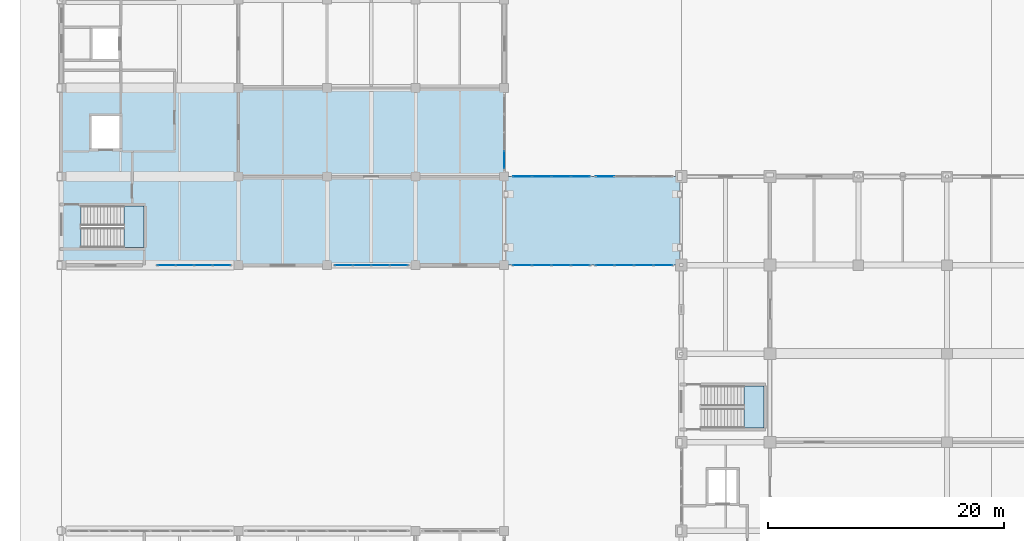
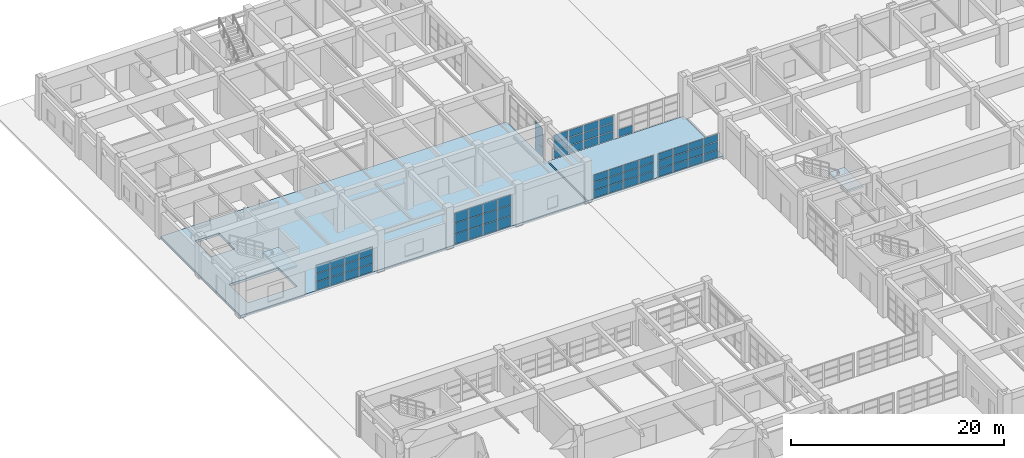
# One storey, part 76 of 122: 64 plates, 4 slabs, 9 elements without a shape of their own.
"""IFC4 building model written with IfcOpenShell, lengths in metres."""

from ifc_helpers import new_model, si_unit, direction, frame, origin, origin_2d, place, context, subcontext, project, spatial, polyline, rectangle, outline, extrude, material, layer, layer_set, type_object, element, aggregate, save


model = new_model("IFC4")

# Units and contexts
model_context = context("Model", 3, precision=1e-05, world=origin(), true_north=direction((0.0, 1.0)))
body_context = subcontext(model_context, "Body", "Model", "MODEL_VIEW")
ifc_project = project(units=[si_unit("LENGTHUNIT", "METRE"), si_unit("AREAUNIT", "SQUARE_METRE"), si_unit("VOLUMEUNIT", "CUBIC_METRE"), si_unit("PLANEANGLEUNIT", "RADIAN"), si_unit("MASSUNIT", "GRAM", prefix="KILO")], contexts=[model_context])

# Site, building, storey
site_placement = place(None, origin())
site = spatial("IfcSite", under=ifc_project, at=site_placement, CompositionType="ELEMENT")
building_placement = place(site_placement, origin())
building = spatial("IfcBuilding", under=site, at=building_placement, Name="Qasida Concert Hall", CompositionType="ELEMENT")
storey_placement = place(building_placement, origin())
storey = spatial("IfcBuildingStorey", under=building, at=storey_placement, Name="L00", CompositionType="ELEMENT", Elevation=0.0)

# Curtain wall, plates
ifc_material_1 = material(Name="Architectural bronze-anodized aluminium and low-E glass", Category="aluminium")
curtain_wall_type = type_object("IfcCurtainWallType", Name="CW-08", PredefinedType="NOTDEFINED", material=ifc_material_1)
curtain_wall_1_placement = place(storey_placement, origin())
curtain_wall_1 = element("IfcCurtainWall", 1, at=curtain_wall_1_placement, inside=storey, type_object=curtain_wall_type, Name="L00 curtain wall CW-08 0180", PredefinedType="NOTDEFINED")
ifc_material_2 = material(Name="Solar-control low-E double glazing", Category="glass")
ifc_layer_1 = layer(ifc_material_2, 0.02392578125, Name="Solar-control low-E double glazing")
ifc_layer_set_1 = layer_set([ifc_layer_1], Name="Solar-control low-E double glazing")
plate_type = type_object("IfcPlateType", Name="PLT-CWP-5", PredefinedType="CURTAIN_PANEL", material=ifc_layer_set_1)
plate_1_placement = place(storey_placement, frame((8.918701171875, 75.0, 0.06005859375), z_axis=(0.0, 0.0, 1.0), x_axis=(1.0, 0.0, 0.0)))
plate_1 = element("IfcPlate", 2, at=plate_1_placement, type_object=plate_type, Name="CW-08 panel 1.1", PredefinedType="CURTAIN_PANEL", context=body_context, shape_type="SweptSolid", body=[
    extrude(rectangle(XDim=1.467529296875, YDim=0.02392578125, at=origin_2d()), origin(), (0.0, 0.0, 1.0), 0.89990234375),
])
plate_2_placement = place(storey_placement, frame((8.918701171875, 75.0, 1.02001953125), z_axis=(0.0, 0.0, 1.0), x_axis=(1.0, 0.0, 0.0)))
plate_2 = element("IfcPlate", 3, at=plate_2_placement, type_object=plate_type, Name="CW-08 panel 1.2", PredefinedType="CURTAIN_PANEL", context=body_context, shape_type="SweptSolid", body=[
    extrude(rectangle(XDim=1.467529296875, YDim=0.02392578125, at=origin_2d()), origin(), (0.0, 0.0, 1.0), 0.929931640625),
])
plate_3_placement = place(storey_placement, frame((8.918701171875, 75.0, 2.010009765625), z_axis=(0.0, 0.0, 1.0), x_axis=(1.0, 0.0, 0.0)))
plate_3 = element("IfcPlate", 4, at=plate_3_placement, type_object=plate_type, Name="CW-08 panel 1.3", PredefinedType="CURTAIN_PANEL", context=body_context, shape_type="SweptSolid", body=[
    extrude(rectangle(XDim=1.467529296875, YDim=0.02392578125, at=origin_2d()), origin(), (0.0, 0.0, 1.0), 0.89990234375),
])
plate_4_placement = place(storey_placement, frame((10.467529296875, 75.0, 0.06005859375), z_axis=(0.0, 0.0, 1.0), x_axis=(1.0, 0.0, 0.0)))
plate_4 = element("IfcPlate", 5, at=plate_4_placement, type_object=plate_type, Name="CW-08 panel 2.1", PredefinedType="CURTAIN_PANEL", context=body_context, shape_type="SweptSolid", body=[
    extrude(rectangle(XDim=1.5, YDim=0.02392578125, at=origin_2d()), origin(), (0.0, 0.0, 1.0), 0.89990234375),
])
plate_5_placement = place(storey_placement, frame((10.467529296875, 75.0, 1.02001953125), z_axis=(0.0, 0.0, 1.0), x_axis=(1.0, 0.0, 0.0)))
plate_5 = element("IfcPlate", 6, at=plate_5_placement, type_object=plate_type, Name="CW-08 panel 2.2", PredefinedType="CURTAIN_PANEL", context=body_context, shape_type="SweptSolid", body=[
    extrude(rectangle(XDim=1.5, YDim=0.02392578125, at=origin_2d()), origin(), (0.0, 0.0, 1.0), 0.929931640625),
])
plate_6_placement = place(storey_placement, frame((10.467529296875, 75.0, 2.010009765625), z_axis=(0.0, 0.0, 1.0), x_axis=(1.0, 0.0, 0.0)))
plate_6 = element("IfcPlate", 7, at=plate_6_placement, type_object=plate_type, Name="CW-08 panel 2.3", PredefinedType="CURTAIN_PANEL", context=body_context, shape_type="SweptSolid", body=[
    extrude(rectangle(XDim=1.5, YDim=0.02392578125, at=origin_2d()), origin(), (0.0, 0.0, 1.0), 0.89990234375),
])
plate_7_placement = place(storey_placement, frame((12.032470703125, 75.0, 0.06005859375), z_axis=(0.0, 0.0, 1.0), x_axis=(1.0, 0.0, 0.0)))
plate_7 = element("IfcPlate", 8, at=plate_7_placement, type_object=plate_type, Name="CW-08 panel 3.1", PredefinedType="CURTAIN_PANEL", context=body_context, shape_type="SweptSolid", body=[
    extrude(rectangle(XDim=1.5, YDim=0.02392578125, at=origin_2d()), origin(), (0.0, 0.0, 1.0), 0.89990234375),
])
plate_8_placement = place(storey_placement, frame((12.032470703125, 75.0, 1.02001953125), z_axis=(0.0, 0.0, 1.0), x_axis=(1.0, 0.0, 0.0)))
plate_8 = element("IfcPlate", 9, at=plate_8_placement, type_object=plate_type, Name="CW-08 panel 3.2", PredefinedType="CURTAIN_PANEL", context=body_context, shape_type="SweptSolid", body=[
    extrude(rectangle(XDim=1.5, YDim=0.02392578125, at=origin_2d()), origin(), (0.0, 0.0, 1.0), 0.929931640625),
])
plate_9_placement = place(storey_placement, frame((12.032470703125, 75.0, 2.010009765625), z_axis=(0.0, 0.0, 1.0), x_axis=(1.0, 0.0, 0.0)))
plate_9 = element("IfcPlate", 10, at=plate_9_placement, type_object=plate_type, Name="CW-08 panel 3.3", PredefinedType="CURTAIN_PANEL", context=body_context, shape_type="SweptSolid", body=[
    extrude(rectangle(XDim=1.5, YDim=0.02392578125, at=origin_2d()), origin(), (0.0, 0.0, 1.0), 0.89990234375),
])
plate_10_placement = place(storey_placement, frame((13.581298828125, 75.0, 0.06005859375), z_axis=(0.0, 0.0, 1.0), x_axis=(1.0, 0.0, 0.0)))
plate_10 = element("IfcPlate", 11, at=plate_10_placement, type_object=plate_type, Name="CW-08 panel 4.1", PredefinedType="CURTAIN_PANEL", context=body_context, shape_type="SweptSolid", body=[
    extrude(rectangle(XDim=1.467529296875, YDim=0.02392578125, at=origin_2d()), origin(), (0.0, 0.0, 1.0), 0.89990234375),
])
plate_11_placement = place(storey_placement, frame((13.581298828125, 75.0, 1.02001953125), z_axis=(0.0, 0.0, 1.0), x_axis=(1.0, 0.0, 0.0)))
plate_11 = element("IfcPlate", 12, at=plate_11_placement, type_object=plate_type, Name="CW-08 panel 4.2", PredefinedType="CURTAIN_PANEL", context=body_context, shape_type="SweptSolid", body=[
    extrude(rectangle(XDim=1.467529296875, YDim=0.02392578125, at=origin_2d()), origin(), (0.0, 0.0, 1.0), 0.929931640625),
])
plate_12_placement = place(storey_placement, frame((13.581298828125, 75.0, 2.010009765625), z_axis=(0.0, 0.0, 1.0), x_axis=(1.0, 0.0, 0.0)))
plate_12 = element("IfcPlate", 13, at=plate_12_placement, type_object=plate_type, Name="CW-08 panel 4.3", PredefinedType="CURTAIN_PANEL", context=body_context, shape_type="SweptSolid", body=[
    extrude(rectangle(XDim=1.467529296875, YDim=0.02392578125, at=origin_2d()), origin(), (0.0, 0.0, 1.0), 0.89990234375),
])
aggregate(curtain_wall_1, [plate_1, plate_2, plate_3, plate_4, plate_5, plate_6, plate_7, plate_8, plate_9, plate_10, plate_11, plate_12])

curtain_wall_2_placement = place(storey_placement, origin())
curtain_wall_2 = element("IfcCurtainWall", 14, at=curtain_wall_2_placement, inside=storey, type_object=curtain_wall_type, Name="L00 curtain wall CW-08 0181", PredefinedType="NOTDEFINED")
plate_13_placement = place(storey_placement, frame((23.918701171875, 75.0, 0.06005859375), z_axis=(0.0, 0.0, 1.0), x_axis=(1.0, 0.0, 0.0)))
plate_13 = element("IfcPlate", 15, at=plate_13_placement, type_object=plate_type, Name="CW-08 panel 1.1", PredefinedType="CURTAIN_PANEL", context=body_context, shape_type="SweptSolid", body=[
    extrude(rectangle(XDim=1.467529296875, YDim=0.02392578125, at=origin_2d()), origin(), (0.0, 0.0, 1.0), 1.14990234375),
])
plate_14_placement = place(storey_placement, frame((23.918701171875, 75.0, 1.27001953125), z_axis=(0.0, 0.0, 1.0), x_axis=(1.0, 0.0, 0.0)))
plate_14 = element("IfcPlate", 16, at=plate_14_placement, type_object=plate_type, Name="CW-08 panel 1.2", PredefinedType="CURTAIN_PANEL", context=body_context, shape_type="SweptSolid", body=[
    extrude(rectangle(XDim=1.467529296875, YDim=0.02392578125, at=origin_2d()), origin(), (0.0, 0.0, 1.0), 1.179931640625),
])
plate_15_placement = place(storey_placement, frame((23.918701171875, 75.0, 2.510009765625), z_axis=(0.0, 0.0, 1.0), x_axis=(1.0, 0.0, 0.0)))
plate_15 = element("IfcPlate", 17, at=plate_15_placement, type_object=plate_type, Name="CW-08 panel 1.3", PredefinedType="CURTAIN_PANEL", context=body_context, shape_type="SweptSolid", body=[
    extrude(rectangle(XDim=1.467529296875, YDim=0.02392578125, at=origin_2d()), origin(), (0.0, 0.0, 1.0), 1.14990234375),
])
plate_16_placement = place(storey_placement, frame((25.467529296875, 75.0, 0.06005859375), z_axis=(0.0, 0.0, 1.0), x_axis=(1.0, 0.0, 0.0)))
plate_16 = element("IfcPlate", 18, at=plate_16_placement, type_object=plate_type, Name="CW-08 panel 2.1", PredefinedType="CURTAIN_PANEL", context=body_context, shape_type="SweptSolid", body=[
    extrude(rectangle(XDim=1.5, YDim=0.02392578125, at=origin_2d()), origin(), (0.0, 0.0, 1.0), 1.14990234375),
])
plate_17_placement = place(storey_placement, frame((25.467529296875, 75.0, 1.27001953125), z_axis=(0.0, 0.0, 1.0), x_axis=(1.0, 0.0, 0.0)))
plate_17 = element("IfcPlate", 19, at=plate_17_placement, type_object=plate_type, Name="CW-08 panel 2.2", PredefinedType="CURTAIN_PANEL", context=body_context, shape_type="SweptSolid", body=[
    extrude(rectangle(XDim=1.5, YDim=0.02392578125, at=origin_2d()), origin(), (0.0, 0.0, 1.0), 1.179931640625),
])
plate_18_placement = place(storey_placement, frame((25.467529296875, 75.0, 2.510009765625), z_axis=(0.0, 0.0, 1.0), x_axis=(1.0, 0.0, 0.0)))
plate_18 = element("IfcPlate", 20, at=plate_18_placement, type_object=plate_type, Name="CW-08 panel 2.3", PredefinedType="CURTAIN_PANEL", context=body_context, shape_type="SweptSolid", body=[
    extrude(rectangle(XDim=1.5, YDim=0.02392578125, at=origin_2d()), origin(), (0.0, 0.0, 1.0), 1.14990234375),
])
plate_19_placement = place(storey_placement, frame((27.032470703125, 75.0, 0.06005859375), z_axis=(0.0, 0.0, 1.0), x_axis=(1.0, 0.0, 0.0)))
plate_19 = element("IfcPlate", 21, at=plate_19_placement, type_object=plate_type, Name="CW-08 panel 3.1", PredefinedType="CURTAIN_PANEL", context=body_context, shape_type="SweptSolid", body=[
    extrude(rectangle(XDim=1.5, YDim=0.02392578125, at=origin_2d()), origin(), (0.0, 0.0, 1.0), 1.14990234375),
])
plate_20_placement = place(storey_placement, frame((27.032470703125, 75.0, 1.27001953125), z_axis=(0.0, 0.0, 1.0), x_axis=(1.0, 0.0, 0.0)))
plate_20 = element("IfcPlate", 22, at=plate_20_placement, type_object=plate_type, Name="CW-08 panel 3.2", PredefinedType="CURTAIN_PANEL", context=body_context, shape_type="SweptSolid", body=[
    extrude(rectangle(XDim=1.5, YDim=0.02392578125, at=origin_2d()), origin(), (0.0, 0.0, 1.0), 1.179931640625),
])
plate_21_placement = place(storey_placement, frame((27.032470703125, 75.0, 2.510009765625), z_axis=(0.0, 0.0, 1.0), x_axis=(1.0, 0.0, 0.0)))
plate_21 = element("IfcPlate", 23, at=plate_21_placement, type_object=plate_type, Name="CW-08 panel 3.3", PredefinedType="CURTAIN_PANEL", context=body_context, shape_type="SweptSolid", body=[
    extrude(rectangle(XDim=1.5, YDim=0.02392578125, at=origin_2d()), origin(), (0.0, 0.0, 1.0), 1.14990234375),
])
plate_22_placement = place(storey_placement, frame((28.581298828125, 75.0, 0.06005859375), z_axis=(0.0, 0.0, 1.0), x_axis=(1.0, 0.0, 0.0)))
plate_22 = element("IfcPlate", 24, at=plate_22_placement, type_object=plate_type, Name="CW-08 panel 4.1", PredefinedType="CURTAIN_PANEL", context=body_context, shape_type="SweptSolid", body=[
    extrude(rectangle(XDim=1.467529296875, YDim=0.02392578125, at=origin_2d()), origin(), (0.0, 0.0, 1.0), 1.14990234375),
])
plate_23_placement = place(storey_placement, frame((28.581298828125, 75.0, 1.27001953125), z_axis=(0.0, 0.0, 1.0), x_axis=(1.0, 0.0, 0.0)))
plate_23 = element("IfcPlate", 25, at=plate_23_placement, type_object=plate_type, Name="CW-08 panel 4.2", PredefinedType="CURTAIN_PANEL", context=body_context, shape_type="SweptSolid", body=[
    extrude(rectangle(XDim=1.467529296875, YDim=0.02392578125, at=origin_2d()), origin(), (0.0, 0.0, 1.0), 1.179931640625),
])
plate_24_placement = place(storey_placement, frame((28.581298828125, 75.0, 2.510009765625), z_axis=(0.0, 0.0, 1.0), x_axis=(1.0, 0.0, 0.0)))
plate_24 = element("IfcPlate", 26, at=plate_24_placement, type_object=plate_type, Name="CW-08 panel 4.3", PredefinedType="CURTAIN_PANEL", context=body_context, shape_type="SweptSolid", body=[
    extrude(rectangle(XDim=1.467529296875, YDim=0.02392578125, at=origin_2d()), origin(), (0.0, 0.0, 1.0), 1.14990234375),
])
aggregate(curtain_wall_2, [plate_13, plate_14, plate_15, plate_16, plate_17, plate_18, plate_19, plate_20, plate_21, plate_22, plate_23, plate_24])

curtain_wall_3_placement = place(storey_placement, origin())
curtain_wall_3 = element("IfcCurtainWall", 27, at=curtain_wall_3_placement, inside=storey, type_object=curtain_wall_type, Name="L00 curtain wall CW-08 0182", PredefinedType="NOTDEFINED")
plate_25_placement = place(storey_placement, frame((37.5, 83.918701171875, 0.06005859375), z_axis=(0.0, 0.0, 1.0), x_axis=(0.0, 1.0, 0.0)))
plate_25 = element("IfcPlate", 28, at=plate_25_placement, type_object=plate_type, Name="CW-08 panel 1.1", PredefinedType="CURTAIN_PANEL", context=body_context, shape_type="SweptSolid", body=[
    extrude(rectangle(XDim=1.467529296875, YDim=0.02392578125, at=origin_2d()), origin(), (0.0, 0.0, 1.0), 1.050048828125),
])
plate_26_placement = place(storey_placement, frame((37.5, 83.918701171875, 1.169921875), z_axis=(0.0, 0.0, 1.0), x_axis=(0.0, 1.0, 0.0)))
plate_26 = element("IfcPlate", 29, at=plate_26_placement, type_object=plate_type, Name="CW-08 panel 1.2", PredefinedType="CURTAIN_PANEL", context=body_context, shape_type="SweptSolid", body=[
    extrude(rectangle(XDim=1.467529296875, YDim=0.02392578125, at=origin_2d()), origin(), (0.0, 0.0, 1.0), 1.080078125),
])
plate_27_placement = place(storey_placement, frame((37.5, 83.918701171875, 2.31005859375), z_axis=(0.0, 0.0, 1.0), x_axis=(0.0, 1.0, 0.0)))
plate_27 = element("IfcPlate", 30, at=plate_27_placement, type_object=plate_type, Name="CW-08 panel 1.3", PredefinedType="CURTAIN_PANEL", context=body_context, shape_type="SweptSolid", body=[
    extrude(rectangle(XDim=1.467529296875, YDim=0.02392578125, at=origin_2d()), origin(), (0.0, 0.0, 1.0), 1.050048828125),
])
aggregate(curtain_wall_3, [plate_25, plate_26, plate_27])

curtain_wall_4_placement = place(storey_placement, origin())
curtain_wall_4 = element("IfcCurtainWall", 31, at=curtain_wall_4_placement, inside=storey, type_object=curtain_wall_type, Name="L00 link bridge glazing 0210", PredefinedType="NOTDEFINED")
plate_28_placement = place(storey_placement, frame((39.041259765625, 75.0, 0.06005859375), z_axis=(0.0, 0.0, 1.0), x_axis=(1.0, 0.0, 0.0)))
plate_28 = element("IfcPlate", 32, at=plate_28_placement, type_object=plate_type, Name="CW-08 panel 1.1", PredefinedType="CURTAIN_PANEL", context=body_context, shape_type="SweptSolid", body=[
    extrude(rectangle(XDim=1.552490234375, YDim=0.02392578125, at=origin_2d()), origin(), (0.0, 0.0, 1.0), 0.860107421875),
])
plate_29_placement = place(storey_placement, frame((39.041259765625, 75.0, 0.97998046875), z_axis=(0.0, 0.0, 1.0), x_axis=(1.0, 0.0, 0.0)))
plate_29 = element("IfcPlate", 33, at=plate_29_placement, type_object=plate_type, Name="CW-08 panel 1.2", PredefinedType="CURTAIN_PANEL", context=body_context, shape_type="SweptSolid", body=[
    extrude(rectangle(XDim=1.552490234375, YDim=0.02392578125, at=origin_2d()), origin(), (0.0, 0.0, 1.0), 0.889892578125),
])
plate_30_placement = place(storey_placement, frame((39.041259765625, 75.0, 1.929931640625), z_axis=(0.0, 0.0, 1.0), x_axis=(1.0, 0.0, 0.0)))
plate_30 = element("IfcPlate", 34, at=plate_30_placement, type_object=plate_type, Name="CW-08 panel 1.3", PredefinedType="CURTAIN_PANEL", context=body_context, shape_type="SweptSolid", body=[
    extrude(rectangle(XDim=1.552490234375, YDim=0.02392578125, at=origin_2d()), origin(), (0.0, 0.0, 1.0), 0.81005859375),
])
plate_31_placement = place(storey_placement, frame((40.675048828125, 75.0, 0.06005859375), z_axis=(0.0, 0.0, 1.0), x_axis=(1.0, 0.0, 0.0)))
plate_31 = element("IfcPlate", 35, at=plate_31_placement, type_object=plate_type, Name="CW-08 panel 2.1", PredefinedType="CURTAIN_PANEL", context=body_context, shape_type="SweptSolid", body=[
    extrude(rectangle(XDim=1.5849609375, YDim=0.02392578125, at=origin_2d()), origin(), (0.0, 0.0, 1.0), 0.860107421875),
])
plate_32_placement = place(storey_placement, frame((40.675048828125, 75.0, 0.97998046875), z_axis=(0.0, 0.0, 1.0), x_axis=(1.0, 0.0, 0.0)))
plate_32 = element("IfcPlate", 36, at=plate_32_placement, type_object=plate_type, Name="CW-08 panel 2.2", PredefinedType="CURTAIN_PANEL", context=body_context, shape_type="SweptSolid", body=[
    extrude(rectangle(XDim=1.5849609375, YDim=0.02392578125, at=origin_2d()), origin(), (0.0, 0.0, 1.0), 0.889892578125),
])
plate_33_placement = place(storey_placement, frame((40.675048828125, 75.0, 1.929931640625), z_axis=(0.0, 0.0, 1.0), x_axis=(1.0, 0.0, 0.0)))
plate_33 = element("IfcPlate", 37, at=plate_33_placement, type_object=plate_type, Name="CW-08 panel 2.3", PredefinedType="CURTAIN_PANEL", context=body_context, shape_type="SweptSolid", body=[
    extrude(rectangle(XDim=1.5849609375, YDim=0.02392578125, at=origin_2d()), origin(), (0.0, 0.0, 1.0), 0.81005859375),
])
plate_34_placement = place(storey_placement, frame((42.324951171875, 75.0, 0.06005859375), z_axis=(0.0, 0.0, 1.0), x_axis=(1.0, 0.0, 0.0)))
plate_34 = element("IfcPlate", 38, at=plate_34_placement, type_object=plate_type, Name="CW-08 panel 3.1", PredefinedType="CURTAIN_PANEL", context=body_context, shape_type="SweptSolid", body=[
    extrude(rectangle(XDim=1.5849609375, YDim=0.02392578125, at=origin_2d()), origin(), (0.0, 0.0, 1.0), 0.860107421875),
])
plate_35_placement = place(storey_placement, frame((42.324951171875, 75.0, 0.97998046875), z_axis=(0.0, 0.0, 1.0), x_axis=(1.0, 0.0, 0.0)))
plate_35 = element("IfcPlate", 39, at=plate_35_placement, type_object=plate_type, Name="CW-08 panel 3.2", PredefinedType="CURTAIN_PANEL", context=body_context, shape_type="SweptSolid", body=[
    extrude(rectangle(XDim=1.5849609375, YDim=0.02392578125, at=origin_2d()), origin(), (0.0, 0.0, 1.0), 0.889892578125),
])
plate_36_placement = place(storey_placement, frame((42.324951171875, 75.0, 1.929931640625), z_axis=(0.0, 0.0, 1.0), x_axis=(1.0, 0.0, 0.0)))
plate_36 = element("IfcPlate", 40, at=plate_36_placement, type_object=plate_type, Name="CW-08 panel 3.3", PredefinedType="CURTAIN_PANEL", context=body_context, shape_type="SweptSolid", body=[
    extrude(rectangle(XDim=1.5849609375, YDim=0.02392578125, at=origin_2d()), origin(), (0.0, 0.0, 1.0), 0.81005859375),
])
plate_37_placement = place(storey_placement, frame((43.958740234375, 75.0, 0.06005859375), z_axis=(0.0, 0.0, 1.0), x_axis=(1.0, 0.0, 0.0)))
plate_37 = element("IfcPlate", 41, at=plate_37_placement, type_object=plate_type, Name="CW-08 panel 4.1", PredefinedType="CURTAIN_PANEL", context=body_context, shape_type="SweptSolid", body=[
    extrude(rectangle(XDim=1.552490234375, YDim=0.02392578125, at=origin_2d()), origin(), (0.0, 0.0, 1.0), 0.860107421875),
])
plate_38_placement = place(storey_placement, frame((43.958740234375, 75.0, 0.97998046875), z_axis=(0.0, 0.0, 1.0), x_axis=(1.0, 0.0, 0.0)))
plate_38 = element("IfcPlate", 42, at=plate_38_placement, type_object=plate_type, Name="CW-08 panel 4.2", PredefinedType="CURTAIN_PANEL", context=body_context, shape_type="SweptSolid", body=[
    extrude(rectangle(XDim=1.552490234375, YDim=0.02392578125, at=origin_2d()), origin(), (0.0, 0.0, 1.0), 0.889892578125),
])
plate_39_placement = place(storey_placement, frame((43.958740234375, 75.0, 1.929931640625), z_axis=(0.0, 0.0, 1.0), x_axis=(1.0, 0.0, 0.0)))
plate_39 = element("IfcPlate", 43, at=plate_39_placement, type_object=plate_type, Name="CW-08 panel 4.3", PredefinedType="CURTAIN_PANEL", context=body_context, shape_type="SweptSolid", body=[
    extrude(rectangle(XDim=1.552490234375, YDim=0.02392578125, at=origin_2d()), origin(), (0.0, 0.0, 1.0), 0.81005859375),
])
aggregate(curtain_wall_4, [plate_28, plate_29, plate_30, plate_31, plate_32, plate_33, plate_34, plate_35, plate_36, plate_37, plate_38, plate_39])

curtain_wall_5_placement = place(storey_placement, origin())
curtain_wall_5 = element("IfcCurtainWall", 44, at=curtain_wall_5_placement, inside=storey, type_object=curtain_wall_type, Name="L00 link bridge glazing 0211", PredefinedType="NOTDEFINED")
plate_40_placement = place(storey_placement, frame((39.041259765625, 82.5, 0.06005859375), z_axis=(0.0, 0.0, 1.0), x_axis=(1.0, 0.0, 0.0)))
plate_40 = element("IfcPlate", 45, at=plate_40_placement, type_object=plate_type, Name="CW-08 panel 1.1", PredefinedType="CURTAIN_PANEL", context=body_context, shape_type="SweptSolid", body=[
    extrude(rectangle(XDim=1.552490234375, YDim=0.02392578125, at=origin_2d()), origin(), (0.0, 0.0, 1.0), 0.860107421875),
])
plate_41_placement = place(storey_placement, frame((39.041259765625, 82.5, 0.97998046875), z_axis=(0.0, 0.0, 1.0), x_axis=(1.0, 0.0, 0.0)))
plate_41 = element("IfcPlate", 46, at=plate_41_placement, type_object=plate_type, Name="CW-08 panel 1.2", PredefinedType="CURTAIN_PANEL", context=body_context, shape_type="SweptSolid", body=[
    extrude(rectangle(XDim=1.552490234375, YDim=0.02392578125, at=origin_2d()), origin(), (0.0, 0.0, 1.0), 0.889892578125),
])
plate_42_placement = place(storey_placement, frame((39.041259765625, 82.5, 1.929931640625), z_axis=(0.0, 0.0, 1.0), x_axis=(1.0, 0.0, 0.0)))
plate_42 = element("IfcPlate", 47, at=plate_42_placement, type_object=plate_type, Name="CW-08 panel 1.3", PredefinedType="CURTAIN_PANEL", context=body_context, shape_type="SweptSolid", body=[
    extrude(rectangle(XDim=1.552490234375, YDim=0.02392578125, at=origin_2d()), origin(), (0.0, 0.0, 1.0), 0.81005859375),
])
plate_43_placement = place(storey_placement, frame((40.675048828125, 82.5, 0.06005859375), z_axis=(0.0, 0.0, 1.0), x_axis=(1.0, 0.0, 0.0)))
plate_43 = element("IfcPlate", 48, at=plate_43_placement, type_object=plate_type, Name="CW-08 panel 2.1", PredefinedType="CURTAIN_PANEL", context=body_context, shape_type="SweptSolid", body=[
    extrude(rectangle(XDim=1.5849609375, YDim=0.02392578125, at=origin_2d()), origin(), (0.0, 0.0, 1.0), 0.860107421875),
])
plate_44_placement = place(storey_placement, frame((40.675048828125, 82.5, 0.97998046875), z_axis=(0.0, 0.0, 1.0), x_axis=(1.0, 0.0, 0.0)))
plate_44 = element("IfcPlate", 49, at=plate_44_placement, type_object=plate_type, Name="CW-08 panel 2.2", PredefinedType="CURTAIN_PANEL", context=body_context, shape_type="SweptSolid", body=[
    extrude(rectangle(XDim=1.5849609375, YDim=0.02392578125, at=origin_2d()), origin(), (0.0, 0.0, 1.0), 0.889892578125),
])
plate_45_placement = place(storey_placement, frame((40.675048828125, 82.5, 1.929931640625), z_axis=(0.0, 0.0, 1.0), x_axis=(1.0, 0.0, 0.0)))
plate_45 = element("IfcPlate", 50, at=plate_45_placement, type_object=plate_type, Name="CW-08 panel 2.3", PredefinedType="CURTAIN_PANEL", context=body_context, shape_type="SweptSolid", body=[
    extrude(rectangle(XDim=1.5849609375, YDim=0.02392578125, at=origin_2d()), origin(), (0.0, 0.0, 1.0), 0.81005859375),
])
plate_46_placement = place(storey_placement, frame((42.324951171875, 82.5, 0.06005859375), z_axis=(0.0, 0.0, 1.0), x_axis=(1.0, 0.0, 0.0)))
plate_46 = element("IfcPlate", 51, at=plate_46_placement, type_object=plate_type, Name="CW-08 panel 3.1", PredefinedType="CURTAIN_PANEL", context=body_context, shape_type="SweptSolid", body=[
    extrude(rectangle(XDim=1.5849609375, YDim=0.02392578125, at=origin_2d()), origin(), (0.0, 0.0, 1.0), 0.860107421875),
])
plate_47_placement = place(storey_placement, frame((42.324951171875, 82.5, 0.97998046875), z_axis=(0.0, 0.0, 1.0), x_axis=(1.0, 0.0, 0.0)))
plate_47 = element("IfcPlate", 52, at=plate_47_placement, type_object=plate_type, Name="CW-08 panel 3.2", PredefinedType="CURTAIN_PANEL", context=body_context, shape_type="SweptSolid", body=[
    extrude(rectangle(XDim=1.5849609375, YDim=0.02392578125, at=origin_2d()), origin(), (0.0, 0.0, 1.0), 0.889892578125),
])
plate_48_placement = place(storey_placement, frame((42.324951171875, 82.5, 1.929931640625), z_axis=(0.0, 0.0, 1.0), x_axis=(1.0, 0.0, 0.0)))
plate_48 = element("IfcPlate", 53, at=plate_48_placement, type_object=plate_type, Name="CW-08 panel 3.3", PredefinedType="CURTAIN_PANEL", context=body_context, shape_type="SweptSolid", body=[
    extrude(rectangle(XDim=1.5849609375, YDim=0.02392578125, at=origin_2d()), origin(), (0.0, 0.0, 1.0), 0.81005859375),
])
plate_49_placement = place(storey_placement, frame((43.958740234375, 82.5, 0.06005859375), z_axis=(0.0, 0.0, 1.0), x_axis=(1.0, 0.0, 0.0)))
plate_49 = element("IfcPlate", 54, at=plate_49_placement, type_object=plate_type, Name="CW-08 panel 4.1", PredefinedType="CURTAIN_PANEL", context=body_context, shape_type="SweptSolid", body=[
    extrude(rectangle(XDim=1.552490234375, YDim=0.02392578125, at=origin_2d()), origin(), (0.0, 0.0, 1.0), 0.860107421875),
])
plate_50_placement = place(storey_placement, frame((43.958740234375, 82.5, 0.97998046875), z_axis=(0.0, 0.0, 1.0), x_axis=(1.0, 0.0, 0.0)))
plate_50 = element("IfcPlate", 55, at=plate_50_placement, type_object=plate_type, Name="CW-08 panel 4.2", PredefinedType="CURTAIN_PANEL", context=body_context, shape_type="SweptSolid", body=[
    extrude(rectangle(XDim=1.552490234375, YDim=0.02392578125, at=origin_2d()), origin(), (0.0, 0.0, 1.0), 0.889892578125),
])
plate_51_placement = place(storey_placement, frame((43.958740234375, 82.5, 1.929931640625), z_axis=(0.0, 0.0, 1.0), x_axis=(1.0, 0.0, 0.0)))
plate_51 = element("IfcPlate", 56, at=plate_51_placement, type_object=plate_type, Name="CW-08 panel 4.3", PredefinedType="CURTAIN_PANEL", context=body_context, shape_type="SweptSolid", body=[
    extrude(rectangle(XDim=1.552490234375, YDim=0.02392578125, at=origin_2d()), origin(), (0.0, 0.0, 1.0), 0.81005859375),
])
aggregate(curtain_wall_5, [plate_40, plate_41, plate_42, plate_43, plate_44, plate_45, plate_46, plate_47, plate_48, plate_49, plate_50, plate_51])

curtain_wall_6_placement = place(storey_placement, origin())
curtain_wall_6 = element("IfcCurtainWall", 57, at=curtain_wall_6_placement, inside=storey, type_object=curtain_wall_type, Name="L00 link bridge glazing 0212", PredefinedType="NOTDEFINED")
plate_52_placement = place(storey_placement, frame((46.041259765625, 75.0, 0.06005859375), z_axis=(0.0, 0.0, 1.0), x_axis=(1.0, 0.0, 0.0)))
plate_52 = element("IfcPlate", 58, at=plate_52_placement, type_object=plate_type, Name="CW-08 panel 1.1", PredefinedType="CURTAIN_PANEL", context=body_context, shape_type="SweptSolid", body=[
    extrude(rectangle(XDim=1.552490234375, YDim=0.02392578125, at=origin_2d()), origin(), (0.0, 0.0, 1.0), 0.860107421875),
])
plate_53_placement = place(storey_placement, frame((46.041259765625, 75.0, 0.97998046875), z_axis=(0.0, 0.0, 1.0), x_axis=(1.0, 0.0, 0.0)))
plate_53 = element("IfcPlate", 59, at=plate_53_placement, type_object=plate_type, Name="CW-08 panel 1.2", PredefinedType="CURTAIN_PANEL", context=body_context, shape_type="SweptSolid", body=[
    extrude(rectangle(XDim=1.552490234375, YDim=0.02392578125, at=origin_2d()), origin(), (0.0, 0.0, 1.0), 0.889892578125),
])
plate_54_placement = place(storey_placement, frame((46.041259765625, 75.0, 1.929931640625), z_axis=(0.0, 0.0, 1.0), x_axis=(1.0, 0.0, 0.0)))
plate_54 = element("IfcPlate", 60, at=plate_54_placement, type_object=plate_type, Name="CW-08 panel 1.3", PredefinedType="CURTAIN_PANEL", context=body_context, shape_type="SweptSolid", body=[
    extrude(rectangle(XDim=1.552490234375, YDim=0.02392578125, at=origin_2d()), origin(), (0.0, 0.0, 1.0), 0.81005859375),
])
plate_55_placement = place(storey_placement, frame((47.675048828125, 75.0, 0.06005859375), z_axis=(0.0, 0.0, 1.0), x_axis=(1.0, 0.0, 0.0)))
plate_55 = element("IfcPlate", 61, at=plate_55_placement, type_object=plate_type, Name="CW-08 panel 2.1", PredefinedType="CURTAIN_PANEL", context=body_context, shape_type="SweptSolid", body=[
    extrude(rectangle(XDim=1.5849609375, YDim=0.02392578125, at=origin_2d()), origin(), (0.0, 0.0, 1.0), 0.860107421875),
])
plate_56_placement = place(storey_placement, frame((47.675048828125, 75.0, 0.97998046875), z_axis=(0.0, 0.0, 1.0), x_axis=(1.0, 0.0, 0.0)))
plate_56 = element("IfcPlate", 62, at=plate_56_placement, type_object=plate_type, Name="CW-08 panel 2.2", PredefinedType="CURTAIN_PANEL", context=body_context, shape_type="SweptSolid", body=[
    extrude(rectangle(XDim=1.5849609375, YDim=0.02392578125, at=origin_2d()), origin(), (0.0, 0.0, 1.0), 0.889892578125),
])
plate_57_placement = place(storey_placement, frame((47.675048828125, 75.0, 1.929931640625), z_axis=(0.0, 0.0, 1.0), x_axis=(1.0, 0.0, 0.0)))
plate_57 = element("IfcPlate", 63, at=plate_57_placement, type_object=plate_type, Name="CW-08 panel 2.3", PredefinedType="CURTAIN_PANEL", context=body_context, shape_type="SweptSolid", body=[
    extrude(rectangle(XDim=1.5849609375, YDim=0.02392578125, at=origin_2d()), origin(), (0.0, 0.0, 1.0), 0.81005859375),
])
plate_58_placement = place(storey_placement, frame((49.324951171875, 75.0, 0.06005859375), z_axis=(0.0, 0.0, 1.0), x_axis=(1.0, 0.0, 0.0)))
plate_58 = element("IfcPlate", 64, at=plate_58_placement, type_object=plate_type, Name="CW-08 panel 3.1", PredefinedType="CURTAIN_PANEL", context=body_context, shape_type="SweptSolid", body=[
    extrude(rectangle(XDim=1.5849609375, YDim=0.02392578125, at=origin_2d()), origin(), (0.0, 0.0, 1.0), 0.860107421875),
])
plate_59_placement = place(storey_placement, frame((49.324951171875, 75.0, 0.97998046875), z_axis=(0.0, 0.0, 1.0), x_axis=(1.0, 0.0, 0.0)))
plate_59 = element("IfcPlate", 65, at=plate_59_placement, type_object=plate_type, Name="CW-08 panel 3.2", PredefinedType="CURTAIN_PANEL", context=body_context, shape_type="SweptSolid", body=[
    extrude(rectangle(XDim=1.5849609375, YDim=0.02392578125, at=origin_2d()), origin(), (0.0, 0.0, 1.0), 0.889892578125),
])
plate_60_placement = place(storey_placement, frame((49.324951171875, 75.0, 1.929931640625), z_axis=(0.0, 0.0, 1.0), x_axis=(1.0, 0.0, 0.0)))
plate_60 = element("IfcPlate", 66, at=plate_60_placement, type_object=plate_type, Name="CW-08 panel 3.3", PredefinedType="CURTAIN_PANEL", context=body_context, shape_type="SweptSolid", body=[
    extrude(rectangle(XDim=1.5849609375, YDim=0.02392578125, at=origin_2d()), origin(), (0.0, 0.0, 1.0), 0.81005859375),
])
plate_61_placement = place(storey_placement, frame((50.958740234375, 75.0, 0.06005859375), z_axis=(0.0, 0.0, 1.0), x_axis=(1.0, 0.0, 0.0)))
plate_61 = element("IfcPlate", 67, at=plate_61_placement, type_object=plate_type, Name="CW-08 panel 4.1", PredefinedType="CURTAIN_PANEL", context=body_context, shape_type="SweptSolid", body=[
    extrude(rectangle(XDim=1.552490234375, YDim=0.02392578125, at=origin_2d()), origin(), (0.0, 0.0, 1.0), 0.860107421875),
])
plate_62_placement = place(storey_placement, frame((50.958740234375, 75.0, 0.97998046875), z_axis=(0.0, 0.0, 1.0), x_axis=(1.0, 0.0, 0.0)))
plate_62 = element("IfcPlate", 68, at=plate_62_placement, type_object=plate_type, Name="CW-08 panel 4.2", PredefinedType="CURTAIN_PANEL", context=body_context, shape_type="SweptSolid", body=[
    extrude(rectangle(XDim=1.552490234375, YDim=0.02392578125, at=origin_2d()), origin(), (0.0, 0.0, 1.0), 0.889892578125),
])
plate_63_placement = place(storey_placement, frame((50.958740234375, 75.0, 1.929931640625), z_axis=(0.0, 0.0, 1.0), x_axis=(1.0, 0.0, 0.0)))
plate_63 = element("IfcPlate", 69, at=plate_63_placement, type_object=plate_type, Name="CW-08 panel 4.3", PredefinedType="CURTAIN_PANEL", context=body_context, shape_type="SweptSolid", body=[
    extrude(rectangle(XDim=1.552490234375, YDim=0.02392578125, at=origin_2d()), origin(), (0.0, 0.0, 1.0), 0.81005859375),
])
aggregate(curtain_wall_6, [plate_52, plate_53, plate_54, plate_55, plate_56, plate_57, plate_58, plate_59, plate_60, plate_61, plate_62, plate_63])

# Curtain wall, plate
curtain_wall_7_placement = place(storey_placement, origin())
curtain_wall_7 = element("IfcCurtainWall", 70, at=curtain_wall_7_placement, inside=storey, type_object=curtain_wall_type, Name="L00 link bridge glazing 0213", PredefinedType="NOTDEFINED")
plate_64_placement = place(storey_placement, frame((46.041259765625, 82.5, 0.06005859375), z_axis=(0.0, 0.0, 1.0), x_axis=(1.0, 0.0, 0.0)))
plate_64 = element("IfcPlate", 71, at=plate_64_placement, type_object=plate_type, Name="CW-08 panel 1.1", PredefinedType="CURTAIN_PANEL", context=body_context, shape_type="SweptSolid", body=[
    extrude(rectangle(XDim=1.552490234375, YDim=0.02392578125, at=origin_2d()), origin(), (0.0, 0.0, 1.0), 0.860107421875),
])
aggregate(curtain_wall_7, [plate_64])

# Slabs
ifc_material_3 = material(Name="Concrete C40/50", Category="concrete")
ifc_layer_2 = layer(ifc_material_3, 0.280029296875, Name="Concrete C40/50")
ifc_layer_set_2 = layer_set([ifc_layer_2], Name="Concrete C40/50")
slab_type_1 = type_object("IfcSlabType", Name="SL-FS-280", PredefinedType="FLOOR", material=ifc_layer_set_2)
slab_1_placement = place(storey_placement, frame((0.0, 0.0, -0.280029296875)))
element("IfcSlab", 72, at=slab_1_placement, inside=storey, type_object=slab_type_1, Name="V5 soloist & fire command south (FS-280)", PredefinedType="FLOOR", context=body_context, shape_type="SweptSolid", body=[
    extrude(outline(polyline([(0.0, 75.0), (37.5, 75.0), (37.5, 90.0), (0.0, 90.0), (0.0, 75.0)]), holes=[polyline([(1.659912109375, 76.5), (7.02001953125, 76.5), (7.02001953125, 80.0), (1.659912109375, 80.0), (1.659912109375, 76.5)]), polyline([(2.449951171875, 84.75), (5.050048828125, 84.75), (5.050048828125, 87.75), (2.449951171875, 87.75), (2.449951171875, 84.75)])]), origin(), (0.0, 0.0, 1.0), 0.280029296875),
])
slab_2_placement = place(storey_placement, frame((0.0, 0.0, -0.280029296875)))
element("IfcSlab", 73, at=slab_2_placement, inside=storey, type_object=slab_type_1, Name="Link V5-V1 bridge (FS-280)", PredefinedType="FLOOR", context=body_context, shape_type="SweptSolid", body=[
    extrude(outline(polyline([(37.64990234375, 75.0), (52.35009765625, 75.0), (52.35009765625, 82.5), (37.64990234375, 82.5), (37.64990234375, 75.0)])), origin(), (0.0, 0.0, 1.0), 0.280029296875),
])

# Stair, slab
stair_type_1 = type_object("IfcStairType", Name="ST-DL-165", PredefinedType="HALF_TURN_STAIR", material=ifc_material_3)
stair_1_placement = place(storey_placement, origin())
stair_1 = element("IfcStair", 74, at=stair_1_placement, inside=storey, type_object=stair_type_1, Name="L00 Exit stair ST-05", PredefinedType="HALF_TURN_STAIR")
ifc_layer_3 = layer(ifc_material_3, 0.199951171875, Name="Concrete C40/50")
ifc_layer_set_3 = layer_set([ifc_layer_3], Name="Concrete C40/50")
slab_type_2 = type_object("IfcSlabType", Name="SL-LND-200", PredefinedType="LANDING", material=ifc_layer_set_3)
slab_3_placement = place(storey_placement, frame((0.0, 0.0, 2.199951171875)))
slab_3 = element("IfcSlab", 75, at=slab_3_placement, type_object=slab_type_2, Name="ST-05 landing 1", PredefinedType="LANDING", context=body_context, shape_type="SweptSolid", body=[
    extrude(outline(polyline([(5.2900390625, 76.5), (7.02001953125, 76.5), (7.02001953125, 80.0), (5.2900390625, 80.0), (5.2900390625, 76.5)])), origin(), (0.0, 0.0, 1.0), 0.199951171875),
])
aggregate(stair_1, [slab_3])

stair_type_2 = type_object("IfcStairType", Name="ST-DL-168", PredefinedType="HALF_TURN_STAIR", material=ifc_material_3)
stair_2_placement = place(storey_placement, origin())
stair_2 = element("IfcStair", 76, at=stair_2_placement, inside=storey, type_object=stair_type_2, Name="L00 Exit stair ST-11", PredefinedType="HALF_TURN_STAIR")
slab_4_placement = place(storey_placement, frame((0.0, 0.0, 2.199951171875)))
slab_4 = element("IfcSlab", 77, at=slab_4_placement, type_object=slab_type_2, Name="ST-11 landing 1", PredefinedType="LANDING", context=body_context, shape_type="SweptSolid", body=[
    extrude(outline(polyline([(57.820068359375, 61.199951171875), (59.52001953125, 61.199951171875), (59.52001953125, 64.760009765625), (57.820068359375, 64.760009765625), (57.820068359375, 61.199951171875)])), origin(), (0.0, 0.0, 1.0), 0.199951171875),
])
aggregate(stair_2, [slab_4])

save(model, "model.ifc")
